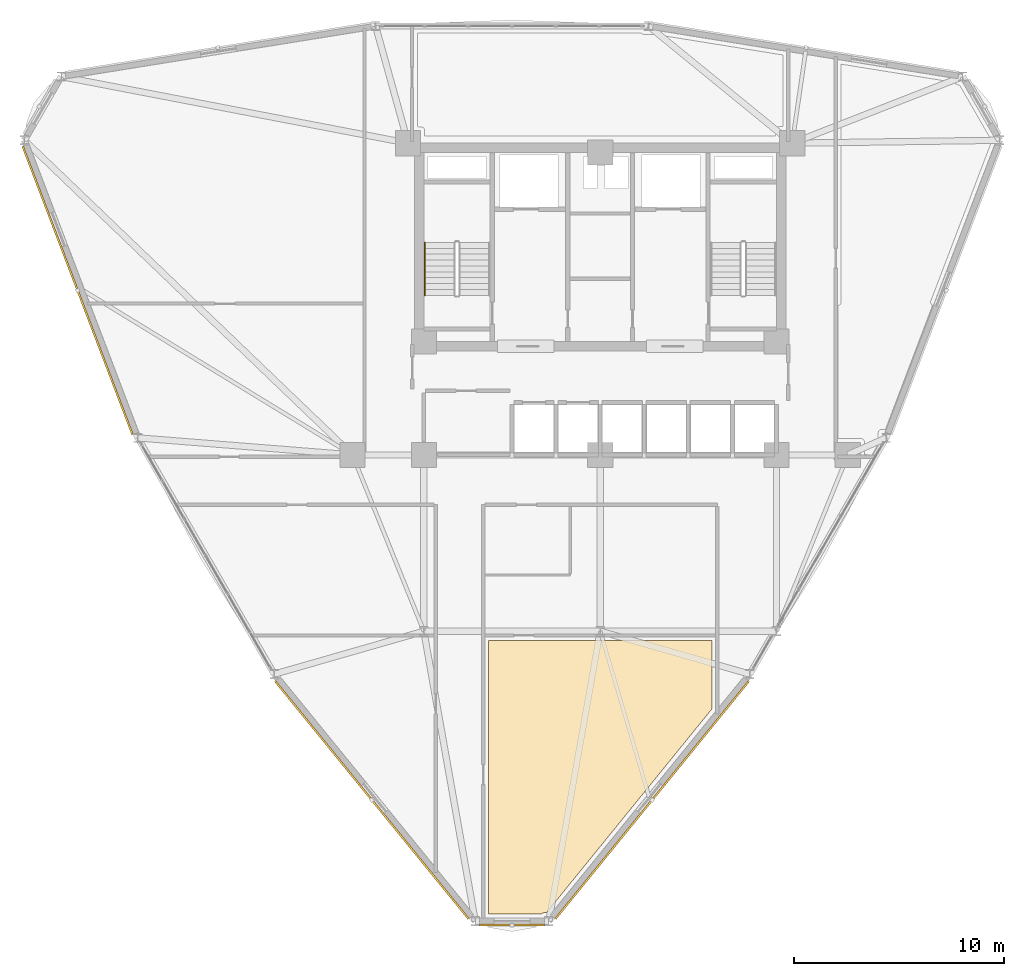
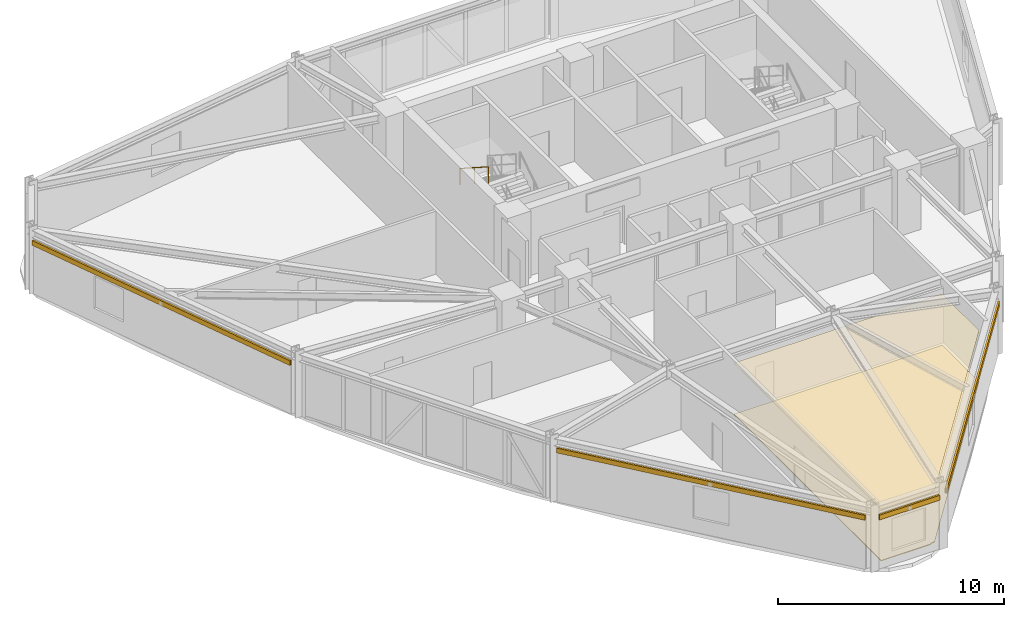
# One storey, part 13 of 15: 4 shading devices, 2 coverings, 1 railing.
"""IFC4 building model written with IfcOpenShell, lengths in metres."""

import ifcopenshell
import ifcopenshell.guid

model = None  # the IFC model being written
_history = None  # IfcOwnerHistory: only IFC2X3 demands one
_inside = {}  # id of a spatial element -> (the spatial element, [elements in it])
_under = {}  # id of a project, library or spatial element -> (it, [spatial elements below it])
_declared = {}  # id of a project -> (the project, [libraries it declares])
_typed = {}  # id of a type object -> (the type object, [elements of that type])
_made_of = {}  # id of a material, layer set ... -> (it, [elements and type objects made of it])


def new_model(schema):
    """Start an empty IFC model of exactly this schema.

    Asked for "IFC4X3", IfcOpenShell would pick the latest addendum, in which some entities
    have other attributes; the version numbers below select the first issue.
    IFC2X3 requires an IfcOwnerHistory on every rooted entity: one is made here for all.
    """
    global model, _history
    if schema == "IFC4X3":
        model = ifcopenshell.file(schema_version=(4, 3, 0, 0))
    else:
        model = ifcopenshell.file(schema=schema)
    _inside.clear()
    _under.clear()
    _declared.clear()
    _typed.clear()
    _made_of.clear()
    _history = None
    if model.schema == "IFC2X3":
        org = make("IfcOrganization", Name="unknown")
        user = make(
            "IfcPersonAndOrganization",
            ThePerson=make("IfcPerson", FamilyName="unknown"),
            TheOrganization=org,
        )
        app = make(
            "IfcApplication",
            ApplicationDeveloper=org,
            Version="unknown",
            ApplicationFullName="unknown",
            ApplicationIdentifier="unknown",
        )
        _history = make(
            "IfcOwnerHistory",
            OwningUser=user,
            OwningApplication=app,
            ChangeAction="ADDED",
            CreationDate=0,
        )
    return model


def make(cls, **values):
    """One entity of the class cls with the attributes given. An attribute that is None is left unset."""
    return model.create_entity(
        cls, **{name: value for name, value in values.items() if value is not None}
    )


def rooted(cls, **values):
    """An entity with a GlobalId (a new one), such as an element, a storey or a relation."""
    return make(cls, GlobalId=ifcopenshell.guid.new(), OwnerHistory=_history, **values)


def si_unit(unit_type, name, prefix=None):
    """IfcSIUnit, for example si_unit("LENGTHUNIT", "METRE", prefix="MILLI")."""
    return make("IfcSIUnit", UnitType=unit_type, Prefix=prefix, Name=name)


def derived_unit(unit_type, elements):
    """IfcDerivedUnit: a product of units, each with its exponent."""
    return make(
        "IfcDerivedUnit",
        Elements=[
            make("IfcDerivedUnitElement", Unit=unit, Exponent=power)
            for unit, power in elements
        ],
        UnitType=unit_type,
    )


def assignment(units):
    """IfcUnitAssignment: the units of a project."""
    return None if units is None else make("IfcUnitAssignment", Units=units)


def point(xyz):
    """IfcCartesianPoint."""
    return None if xyz is None else make("IfcCartesianPoint", Coordinates=xyz)


def direction(xyz):
    """IfcDirection."""
    return None if xyz is None else make("IfcDirection", DirectionRatios=xyz)


def frame(location, z_axis=None, x_axis=None):
    """IfcAxis2Placement3D, a coordinate frame: its origin and axes. An axis left out is left unset."""
    return make(
        "IfcAxis2Placement3D",
        Location=point(location),
        Axis=direction(z_axis),
        RefDirection=direction(x_axis),
    )


def frame_2d(location, x_axis=None):
    """IfcAxis2Placement2D, a coordinate frame in the plane: its origin and x axis."""
    return make(
        "IfcAxis2Placement2D", Location=point(location), RefDirection=direction(x_axis)
    )


def origin():
    """The frame at (0, 0, 0) with its axes left unset."""
    return frame((0.0, 0.0, 0.0))


def origin_2d():
    """The frame at (0, 0) in the plane with its x axis left unset."""
    return frame_2d((0.0, 0.0))


def place(relative_to, where):
    """IfcLocalPlacement: puts the frame where relative to a parent placement (None: the world)."""
    return make(
        "IfcLocalPlacement", PlacementRelTo=relative_to, RelativePlacement=where
    )


def context(
    kind, dimensions, precision=None, world=None, true_north=None, identifier=None
):
    """IfcGeometricRepresentationContext, for example the 3D "Model" context."""
    return make(
        "IfcGeometricRepresentationContext",
        ContextIdentifier=identifier,
        ContextType=kind,
        CoordinateSpaceDimension=dimensions,
        Precision=precision,
        WorldCoordinateSystem=world,
        TrueNorth=true_north,
    )


def subcontext(parent, identifier, kind, view, scale=None):
    """IfcGeometricRepresentationSubContext, for example "Body" below "Model"."""
    return make(
        "IfcGeometricRepresentationSubContext",
        ContextIdentifier=identifier,
        ContextType=kind,
        ParentContext=parent,
        TargetScale=scale,
        TargetView=view,
    )


def project(units=None, contexts=None):
    """IfcProject with its units and contexts."""
    return rooted(
        "IfcProject",
        Name="project",
        RepresentationContexts=contexts,
        UnitsInContext=assignment(units),
    )


def spatial(cls, under=None, at=None, **own):
    """A site, building, storey or space (cls), placed at a placement, below another one or the project."""
    s = rooted(cls, ObjectPlacement=at, **own)
    if under is not None:
        _under.setdefault(under.id(), (under, []))[1].append(s)
    return s


def polyline(points):
    """IfcPolyline through the points."""
    return make("IfcPolyline", Points=[point(p) for p in points])


def profile(cls, at=None, kind="AREA", **sizes):
    """A parametric profile (cls). Its sizes go by their IFC names, for example OverallWidth=200.0."""
    return make(cls, ProfileType=kind, Position=at, **sizes)


def hollow_rectangle(**sizes):
    """IfcRectangleHollowProfileDef."""
    return profile("IfcRectangleHollowProfileDef", **sizes)


def circle(**sizes):
    """IfcCircleProfileDef."""
    return profile("IfcCircleProfileDef", **sizes)


def outline(outer, holes=None, kind="AREA"):
    """IfcArbitraryClosedProfileDef: a profile drawn as a closed curve; with holes, ...WithVoids."""
    if holes is None:
        return make("IfcArbitraryClosedProfileDef", ProfileType=kind, OuterCurve=outer)
    return make(
        "IfcArbitraryProfileDefWithVoids",
        ProfileType=kind,
        OuterCurve=outer,
        InnerCurves=holes,
    )


def extrude(swept, where, along, depth):
    """IfcExtrudedAreaSolid: the profile swept, set in the frame where, extruded along a direction by depth."""
    return make(
        "IfcExtrudedAreaSolid",
        SweptArea=swept,
        Position=where,
        ExtrudedDirection=direction(along),
        Depth=depth,
    )


def shape(context_of_items, identifier, shape_type, items):
    """IfcShapeRepresentation: the items that make up one representation, for example the "Body"."""
    return make(
        "IfcShapeRepresentation",
        ContextOfItems=context_of_items,
        RepresentationIdentifier=identifier,
        RepresentationType=shape_type,
        Items=items,
    )


def source(mapping_origin, context_of_items, identifier, shape_type, items):
    """IfcRepresentationMap: a shape defined once, which mapped items show again and again."""
    return make(
        "IfcRepresentationMap",
        MappingOrigin=mapping_origin,
        MappedRepresentation=shape(context_of_items, identifier, shape_type, items),
    )


def transform(
    local_origin,
    x_axis=None,
    y_axis=None,
    z_axis=None,
    scale=None,
    scale2=None,
    scale3=None,
    uniform=True,
):
    """IfcCartesianTransformationOperator3D, or its non-uniform kind. x_axis, y_axis, z_axis: its Axis1, 2, 3."""
    if uniform:
        return make(
            "IfcCartesianTransformationOperator3D",
            Axis1=direction(x_axis),
            Axis2=direction(y_axis),
            LocalOrigin=point(local_origin),
            Scale=scale,
            Axis3=direction(z_axis),
        )
    return make(
        "IfcCartesianTransformationOperator3DnonUniform",
        Axis1=direction(x_axis),
        Axis2=direction(y_axis),
        LocalOrigin=point(local_origin),
        Scale=scale,
        Axis3=direction(z_axis),
        Scale2=scale2,
        Scale3=scale3,
    )


def mapped(mapping_source, mapping_target):
    """IfcMappedItem: shows the shape of a source again, moved by a transform."""
    return make(
        "IfcMappedItem", MappingSource=mapping_source, MappingTarget=mapping_target
    )


def material(Name=None, Category=None):
    """IfcMaterial."""
    return make("IfcMaterial", Name=Name, Category=Category)


def layer(
    of_material, thickness, ventilated=None, Name=None, Category=None, Priority=None
):
    """IfcMaterialLayer: one layer of a wall or slab, of a material (None: an air gap)."""
    return make(
        "IfcMaterialLayer",
        Material=of_material,
        LayerThickness=thickness,
        IsVentilated=ventilated,
        Name=Name,
        Category=Category,
        Priority=Priority,
    )


def layer_set(layers, Name=None):
    """IfcMaterialLayerSet."""
    return make("IfcMaterialLayerSet", MaterialLayers=layers, LayerSetName=Name)


def material_profile(
    of_material, cross_section, Name=None, Category=None, Priority=None
):
    """IfcMaterialProfile: a cross section and its material."""
    return make(
        "IfcMaterialProfile",
        Name=Name,
        Material=of_material,
        Profile=cross_section,
        Priority=Priority,
        Category=Category,
    )


def profile_set(profiles, Name=None, composite=None):
    """IfcMaterialProfileSet."""
    return make(
        "IfcMaterialProfileSet",
        Name=Name,
        MaterialProfiles=profiles,
        CompositeProfile=composite,
    )


def made_of(thing, what):
    """Note that an element or type object is made of a material, layer set ...; save() writes the relation."""
    if what is not None:
        _made_of.setdefault(what.id(), (what, []))[1].append(thing)
    return thing


def type_object(cls, material=None, **own):
    """A type object (cls), such as IfcWallType, which elements share."""
    return made_of(rooted(cls, **own), material)


def element(
    cls,
    number,
    at=None,
    inside=None,
    cuts=None,
    type_object=None,
    material=None,
    context=None,
    identifier="Body",
    shape_type=None,
    held_by="IfcProductDefinitionShape",
    body=None,
    shapes=None,
    **own,
):
    """One element of the class cls, such as IfcWall. Its Tag is "e" and its number.

    at: its placement. inside: the storey or other place that contains it. cuts: it is an
    opening in that element (IfcRelVoidsElement). A single representation is given by context,
    identifier, shape_type and body (its items); several are given by shapes. held_by: the class
    of the entity that holds the representations. save() writes the other relations.
    """
    e = rooted(cls, Tag="e%d" % number, ObjectPlacement=at, **own)
    if body is not None:
        shapes = [shape(context, identifier, shape_type, body)]
    if shapes is not None:
        e.Representation = make(held_by, Representations=shapes)
    if inside is not None:
        _inside.setdefault(inside.id(), (inside, []))[1].append(e)
    if cuts is not None:
        rooted(
            "IfcRelVoidsElement", RelatingBuildingElement=cuts, RelatedOpeningElement=e
        )
    if type_object is not None:
        _typed.setdefault(type_object.id(), (type_object, []))[1].append(e)
    return made_of(e, material)


def aggregate(whole, parts):
    """IfcRelAggregates: a whole, such as a stair, and the parts it consists of."""
    return rooted("IfcRelAggregates", RelatingObject=whole, RelatedObjects=parts)


def save(model, path):
    """Write the relations noted so far, then the file.

    IfcRelAggregates (storeys below a building ...), IfcRelContainedInSpatialStructure (elements
    in a storey), IfcRelDefinesByType, IfcRelAssociatesMaterial and IfcRelDeclares: one each for
    every whole, place, type object, material and project.
    """
    for whole, parts in _under.values():
        aggregate(whole, parts)
    for where, things in _inside.values():
        rooted(
            "IfcRelContainedInSpatialStructure",
            RelatedElements=things,
            RelatingStructure=where,
        )
    for kind, things in _typed.values():
        rooted("IfcRelDefinesByType", RelatedObjects=things, RelatingType=kind)
    for what, things in _made_of.values():
        rooted("IfcRelAssociatesMaterial", RelatedObjects=things, RelatingMaterial=what)
    for by, libraries in _declared.values():
        rooted("IfcRelDeclares", RelatingContext=by, RelatedDefinitions=libraries)
    model.write(path)


model = new_model("IFC4")

# Units and contexts
model_context = context("Model", 3, precision=1e-05, world=origin(), true_north=direction((0.0, 1.0)))
body_context = subcontext(model_context, "Body", "Model", "MODEL_VIEW")
ifc_project = project(units=[si_unit("LENGTHUNIT", "METRE"), si_unit("AREAUNIT", "SQUARE_METRE"), si_unit("VOLUMEUNIT", "CUBIC_METRE"), si_unit("PLANEANGLEUNIT", "RADIAN"), si_unit("MASSUNIT", "GRAM", prefix="KILO"), derived_unit("THERMALTRANSMITTANCEUNIT", [(si_unit("POWERUNIT", "WATT"), 1), (si_unit("LENGTHUNIT", "METRE"), -2), (si_unit("THERMODYNAMICTEMPERATUREUNIT", "KELVIN"), -1)])], contexts=[model_context])

# Site, building, storey
site_placement = place(None, origin())
site = spatial("IfcSite", under=ifc_project, at=site_placement, CompositionType="ELEMENT")
building_placement = place(site_placement, origin())
building = spatial("IfcBuilding", under=site, at=building_placement, Name="Korsvarv Bourse and Concert Hall", CompositionType="ELEMENT")
storey_placement = place(building_placement, frame((0.0, 0.0, 150.60009765625)))
storey = spatial("IfcBuildingStorey", under=building, at=storey_placement, Name="L38", CompositionType="ELEMENT", Elevation=150.60009765625)

# Coverings
ifc_material_1 = material(Name="Perforated mineral-wool and birch acoustic baffle ceiling", Category="wood")
ifc_layer_1 = layer(ifc_material_1, 0.02490234375)
ifc_layer_set_1 = layer_set([ifc_layer_1], Name="Perforated mineral-wool and birch acoustic baffle ceiling")
covering_type_1 = type_object("IfcCoveringType", Name="COV-CEIL-1", PredefinedType="CEILING", material=ifc_layer_set_1)
covering_1_placement = place(storey_placement, frame((0.0, 0.0, 2.77978515625)))
element("IfcCovering", 1, at=covering_1_placement, inside=storey, type_object=covering_type_1, Name="L38 acoustic baffle ceiling 1", PredefinedType="CEILING", context=body_context, shape_type="SweptSolid", body=[
    extrude(outline(polyline([(30.679931640625, 10.523681640625), (30.679931640625, 23.550048828125), (41.320068359375, 23.550048828125), (41.320068359375, 20.386474609375), (41.32373046875, 20.33935546875), (41.330810546875, 20.3046875), (33.4462890625, 10.59130859375), (33.346923828125, 10.59130859375), (33.31298828125, 10.588134765625), (33.2802734375, 10.57861328125), (33.249755859375, 10.56298828125), (33.222900390625, 10.5419921875), (33.20654296875, 10.523681640625), (30.679931640625, 10.523681640625)])), origin(), (0.0, 0.0, 1.0), 0.025146484375),
])
ifc_material_2 = material(Name="Calcium-sulphate raised access trading floor with Nordic oak top", Category="wood")
ifc_layer_2 = layer(ifc_material_2, 0.0400390625)
ifc_layer_set_2 = layer_set([ifc_layer_2], Name="Calcium-sulphate raised access trading floor with Nordic oak top")
covering_type_2 = type_object("IfcCoveringType", Name="COV-FLOR-1", PredefinedType="FLOORING", material=ifc_layer_set_2)
covering_2_placement = place(storey_placement, origin())
element("IfcCovering", 2, at=covering_2_placement, inside=storey, type_object=covering_type_2, Name="L38 raised access oak floor finish 1", PredefinedType="FLOORING", context=body_context, shape_type="SweptSolid", body=[
    extrude(outline(polyline([(30.679931640625, 10.523681640625), (30.679931640625, 23.550048828125), (41.320068359375, 23.550048828125), (41.320068359375, 20.386474609375), (41.32373046875, 20.33935546875), (41.330810546875, 20.3046875), (33.4462890625, 10.59130859375), (33.346923828125, 10.59130859375), (33.31298828125, 10.588134765625), (33.2802734375, 10.57861328125), (33.249755859375, 10.56298828125), (33.222900390625, 10.5419921875), (33.20654296875, 10.523681640625), (30.679931640625, 10.523681640625)])), origin(), (0.0, 0.0, 1.0), 0.039794921875),
])

# Railing
ifc_material_3 = material(Name="Brushed stainless Steel S355 tubular handrail", Category="steel")
railing_type = type_object("IfcRailingType", Name="RL-ST-HND", PredefinedType="HANDRAIL", material=ifc_material_3)
railing_placement = place(storey_placement, frame((27.64990234375, 42.52001953125, 1.97998046875)))
element("IfcRailing", 3, at=railing_placement, inside=storey, type_object=railing_type, Name="L38 ST-T1 stair handrail 2", PredefinedType="HANDRAIL", context=body_context, shape_type="SweptSolid", body=[
    extrude(circle(Radius=0.02392578125, at=origin_2d()), frame((0.0, 0.0, 0.8759765625), z_axis=(0.0, -0.841199657755, 0.540724639528), x_axis=(1.0, 0.0, 0.0)), (0.0, 0.0, 1.0), 2.995849609375),
    extrude(circle(Radius=0.02099609375, at=origin_2d()), origin(), (0.0, 0.0, 1.0), 0.851806640625),
    extrude(circle(Radius=0.02099609375, at=origin_2d()), frame((0.0, -1.260009765625, 0.81005859375)), (0.0, 0.0, 1.0), 0.851806640625),
    extrude(circle(Radius=0.02099609375, at=origin_2d()), frame((0.0, -2.52001953125, 1.619873046875)), (0.0, 0.0, 1.0), 0.851806640625),
])

# Shading devices
ifc_material_4 = material(Name="Glazed extruded architectural terracotta", Category="ceramic")
ifc_material_profile = material_profile(ifc_material_4, hollow_rectangle(XDim=0.090087890625, YDim=0.260009765625, WallThickness=0.011962890625, at=origin_2d()), Name="TC-BAG 90x260")
ifc_profile_set = profile_set([ifc_material_profile], Name="Glazed extruded architectural terracotta")
shading_device_type = type_object("IfcShadingDeviceType", Name="SHD-BAG-1", PredefinedType="USERDEFINED", material=ifc_profile_set)
shared_shape_1 = source(origin(), body_context, "Body", "SweptSolid", [
    extrude(hollow_rectangle(XDim=0.090087890625, YDim=0.260009765625, WallThickness=0.011962890625, at=origin_2d()), origin(), (0.0, 0.0, 1.0), 14.69677734375),
])
shading_device_1_placement = place(storey_placement, frame((8.4873046875, 47.105224609375, 2.789794921875), z_axis=(0.356077530784, -0.934456415287, 0.0), x_axis=(0.934456415287, 0.356077530784, 0.0)))
element("IfcShadingDevice", 4, at=shading_device_1_placement, inside=storey, type_object=shading_device_type, Name="L38 terracotta baguette sunshade EW-L38-B06", ObjectType="BAGUETTE", PredefinedType="USERDEFINED", context=body_context, shape_type="MappedRepresentation", body=[
    mapped(shared_shape_1, transform((0.0, 0.0, 0.0), scale=1.0)),
])
shared_shape_2 = source(origin(), body_context, "Body", "SweptSolid", [
    extrude(hollow_rectangle(XDim=0.090087890625, YDim=0.260009765625, WallThickness=0.011962890625, at=origin_2d()), origin(), (0.0, 0.0, 1.0), 14.59912109375),
])
for number, where, z_axis, x_axis, name in (
    (5, (20.514892578125, 21.618896484375, 2.83984375), (0.631227653085, -0.775597608287, 0.0), (0.775597608287, 0.631227653085, 0.0), "L38 terracotta baguette sunshade EW-L38-B08"),
    (6, (33.86962890625, 10.2958984375, 2.83984375), (0.631227653085, 0.775597608287, 0.0), (-0.775597608287, 0.631227653085, 0.0), "L38 terracotta baguette sunshade EW-L38-B10"),
):
    element("IfcShadingDevice", number, at=place(storey_placement, frame(where, z_axis=z_axis, x_axis=x_axis)), inside=storey, type_object=shading_device_type, Name=name, ObjectType="BAGUETTE", PredefinedType="USERDEFINED", context=body_context, shape_type="MappedRepresentation", body=[
        mapped(shared_shape_2, transform((0.0, 0.0, 0.0), scale=1.0)),
    ])
shared_shape_3 = source(origin(), body_context, "Body", "SweptSolid", [
    extrude(hollow_rectangle(XDim=0.090087890625, YDim=0.260009765625, WallThickness=0.011962890625, at=origin_2d()), origin(), (0.0, 0.0, 1.0), 3.083740234375),
])
shading_device_2_placement = place(storey_placement, frame((30.258056640625, 9.998779296875, 2.83984375), z_axis=(1.0, 0.0, 0.0), x_axis=(0.0, 1.0, 0.0)))
element("IfcShadingDevice", 7, at=shading_device_2_placement, inside=storey, type_object=shading_device_type, Name="L38 terracotta baguette sunshade EW-L38-B09", ObjectType="BAGUETTE", PredefinedType="USERDEFINED", context=body_context, shape_type="MappedRepresentation", body=[
    mapped(shared_shape_3, transform((0.0, 0.0, 0.0), scale=1.0)),
])

save(model, "model.ifc")
